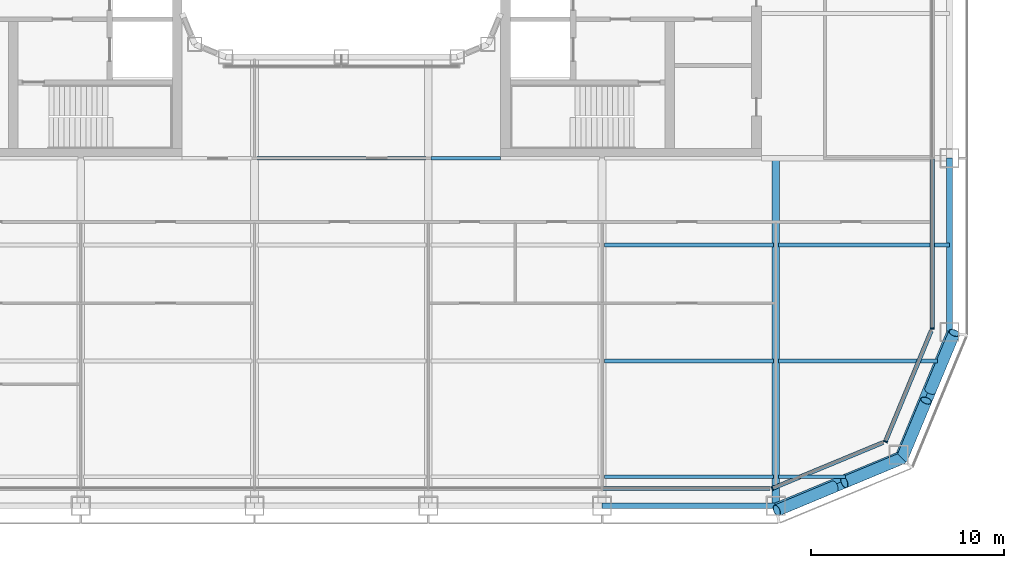
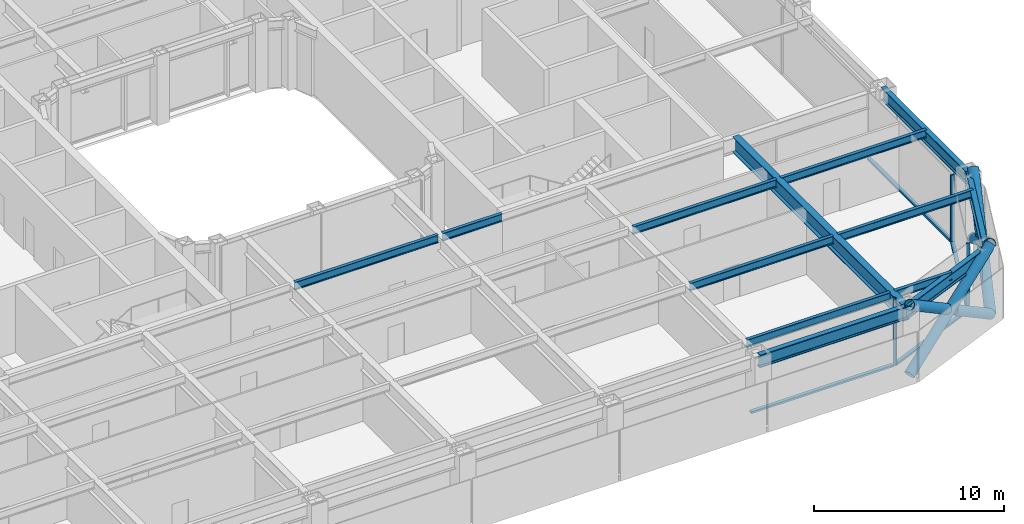
# One storey, part 4 of 30: 13 beams, 13 members, 4 elements without a shape of their own.
"""IFC4 building model written with IfcOpenShell, lengths in metres."""

from ifc_helpers import new_model, si_unit, direction, frame, origin, origin_2d, place, context, subcontext, project, spatial, rectangle, hollow_circle, i_section, extrude, material, layer, layer_set, material_profile, profile_set, type_object, element, aggregate, save


model = new_model("IFC4")

# Units and contexts
model_context = context("Model", 3, precision=1e-05, world=origin(), true_north=direction((0.0, 1.0)))
body_context = subcontext(model_context, "Body", "Model", "MODEL_VIEW")
ifc_project = project(units=[si_unit("LENGTHUNIT", "METRE"), si_unit("AREAUNIT", "SQUARE_METRE"), si_unit("VOLUMEUNIT", "CUBIC_METRE"), si_unit("PLANEANGLEUNIT", "RADIAN"), si_unit("MASSUNIT", "GRAM", prefix="KILO")], contexts=[model_context])

# Site, building, storey
site_placement = place(None, origin())
site = spatial("IfcSite", under=ifc_project, at=site_placement, CompositionType="ELEMENT")
building_placement = place(site_placement, origin())
building = spatial("IfcBuilding", under=site, at=building_placement, Name="Siwar Civic Tower", CompositionType="ELEMENT")
storey_placement = place(building_placement, frame((0.0, 0.0, 80.699951171875)))
storey = spatial("IfcBuildingStorey", under=building, at=storey_placement, Name="L17", CompositionType="ELEMENT", Elevation=80.699951171875)

# Curtain wall, member
ifc_material_1 = material(Name="Aluminium clad insulated panel", Category="aluminium")
ifc_layer_1 = layer(ifc_material_1, 0.219970703125)
ifc_layer_set_1 = layer_set([ifc_layer_1], Name="Aluminium clad insulated panel")
curtain_wall_type_1 = type_object("IfcCurtainWallType", Name="ENV-CW-AX", PredefinedType="NOTDEFINED", material=ifc_layer_set_1)
curtain_wall_1_placement = place(storey_placement, origin())
curtain_wall_1 = element("IfcCurtainWall", 1, at=curtain_wall_1_placement, inside=storey, type_object=curtain_wall_type_1, Name="Curtain wall A SE1", PredefinedType="NOTDEFINED")
ifc_material_2 = material(Name="Aluminium 6063-T6", Category="aluminium")
ifc_material_profile_1 = material_profile(ifc_material_2, rectangle(XDim=0.219970703125, YDim=0.070068359375, at=origin_2d()), Name="AL 220x70")
ifc_profile_set_1 = profile_set([ifc_material_profile_1], Name="Aluminium 6063-T6")
member_type_1 = type_object("IfcMemberType", Name="ENV-MULLION-A", PredefinedType="MULLION", material=ifc_profile_set_1)
member_1_placement = place(storey_placement, frame((22.321044921875, -30.60009765625, 0.0), z_axis=(0.0, 0.0, 1.0), x_axis=(-0.382683432365, 0.923879532511, 0.0)))
member_1 = element("IfcMember", 2, at=member_1_placement, type_object=member_type_1, Name="Mullion A SE1 1", PredefinedType="MULLION", context=body_context, shape_type="SweptSolid", body=[
    extrude(rectangle(XDim=0.219970703125, YDim=0.070068359375, at=origin_2d()), origin(), (0.0, 0.0, 1.0), 4.35009765625),
])

curtain_wall_2_placement = place(storey_placement, origin())
curtain_wall_2 = element("IfcCurtainWall", 3, at=curtain_wall_2_placement, inside=storey, type_object=curtain_wall_type_1, Name="Curtain wall A SE2", PredefinedType="NOTDEFINED")
member_2_placement = place(storey_placement, frame((28.175048828125, -28.175048828125, 0.0), z_axis=(0.0, 0.0, 1.0), x_axis=(-0.923879532511, 0.382683432365, 0.0)))
member_2 = element("IfcMember", 4, at=member_2_placement, type_object=member_type_1, Name="Mullion A SE2 1", PredefinedType="MULLION", context=body_context, shape_type="SweptSolid", body=[
    extrude(rectangle(XDim=0.219970703125, YDim=0.070068359375, at=origin_2d()), origin(), (0.0, 0.0, 1.0), 4.35009765625),
])

ifc_material_3 = material(Name="Aluminium and glass", Category="aluminium")
ifc_layer_2 = layer(ifc_material_3, 0.219970703125)
ifc_layer_set_2 = layer_set([ifc_layer_2], Name="Aluminium and glass")
curtain_wall_type_2 = type_object("IfcCurtainWallType", Name="ENV-CW-A", PredefinedType="NOTDEFINED", material=ifc_layer_set_2)
curtain_wall_3_placement = place(storey_placement, origin())
curtain_wall_3 = element("IfcCurtainWall", 5, at=curtain_wall_3_placement, inside=storey, type_object=curtain_wall_type_2, Name="Curtain wall A E", PredefinedType="NOTDEFINED")
member_3_placement = place(storey_placement, frame((30.60009765625, -22.321044921875, 0.0), z_axis=(0.0, 0.0, 1.0), x_axis=(-1.0, 0.0, 0.0)))
member_3 = element("IfcMember", 6, at=member_3_placement, type_object=member_type_1, Name="Mullion A E 1", PredefinedType="MULLION", context=body_context, shape_type="SweptSolid", body=[
    extrude(rectangle(XDim=0.219970703125, YDim=0.070068359375, at=origin_2d()), origin(), (0.0, 0.0, 1.0), 4.35009765625),
])

curtain_wall_4_placement = place(storey_placement, origin())
curtain_wall_4 = element("IfcCurtainWall", 7, at=curtain_wall_4_placement, inside=storey, type_object=curtain_wall_type_2, Name="Curtain wall A S", PredefinedType="NOTDEFINED")
ifc_material_4 = material(Name="Aluminium 6063-T6", Category="aluminium")
ifc_material_profile_2 = material_profile(ifc_material_4, rectangle(XDim=0.219970703125, YDim=0.1201171875, at=origin_2d()), Name="AL 220x120")
ifc_profile_set_2 = profile_set([ifc_material_profile_2], Name="Aluminium 6063-T6")
member_type_2 = type_object("IfcMemberType", Name="ENV-TRANSOM-A", PredefinedType="USERDEFINED", material=ifc_profile_set_2)
member_4_placement = place(storey_placement, frame((13.534912109375, -30.60009765625, 0.06005859375), z_axis=(1.0, 0.0, 0.0), x_axis=(0.0, 1.0, 0.0)))
member_4 = element("IfcMember", 8, at=member_4_placement, type_object=member_type_2, Name="Transom A S 5", ObjectType="TRANSOM", PredefinedType="USERDEFINED", context=body_context, shape_type="SweptSolid", body=[
    extrude(rectangle(XDim=0.219970703125, YDim=0.1201171875, at=origin_2d()), origin(), (0.0, 0.0, 1.0), 8.66357421875),
])
aggregate(curtain_wall_4, [member_4])

# Member
member_5_placement = place(storey_placement, frame((22.353271484375, -30.586669921875, 0.06005859375), z_axis=(0.923873326341, 0.382698415042, 0.0), x_axis=(-0.382698415042, 0.923873326341, 0.0)))
member_5 = element("IfcMember", 9, at=member_5_placement, type_object=member_type_2, Name="Transom A SE1 1", ObjectType="TRANSOM", PredefinedType="USERDEFINED", context=body_context, shape_type="SweptSolid", body=[
    extrude(rectangle(XDim=0.219970703125, YDim=0.1201171875, at=origin_2d()), origin(), (0.0, 0.0, 1.0), 6.17919921875),
])

aggregate(curtain_wall_1, [member_1, member_5])

member_6_placement = place(storey_placement, frame((28.1884765625, -28.142822265625, 0.06005859375), z_axis=(0.382698415042, 0.923873326341, 0.0), x_axis=(-0.923873326341, 0.382698415042, 0.0)))
member_6 = element("IfcMember", 10, at=member_6_placement, type_object=member_type_2, Name="Transom A SE2 1", ObjectType="TRANSOM", PredefinedType="USERDEFINED", context=body_context, shape_type="SweptSolid", body=[
    extrude(rectangle(XDim=0.219970703125, YDim=0.1201171875, at=origin_2d()), origin(), (0.0, 0.0, 1.0), 6.17919921875),
])

aggregate(curtain_wall_2, [member_2, member_6])

member_7_placement = place(storey_placement, frame((30.60009765625, -22.285888671875, 0.06005859375), z_axis=(0.0, 1.0, 0.0), x_axis=(-1.0, 0.0, 0.0)))
member_7 = element("IfcMember", 11, at=member_7_placement, type_object=member_type_2, Name="Transom A E 1", ObjectType="TRANSOM", PredefinedType="USERDEFINED", context=body_context, shape_type="SweptSolid", body=[
    extrude(rectangle(XDim=0.219970703125, YDim=0.1201171875, at=origin_2d()), origin(), (0.0, 0.0, 1.0), 8.7509765625),
])

aggregate(curtain_wall_3, [member_3, member_7])

# Members
ifc_material_5 = material(Name="Steel S355", Category="steel")
ifc_material_profile_3 = material_profile(ifc_material_5, hollow_circle(Radius=0.304931640625, WallThickness=0.030029296875, at=origin_2d()), Name="CHS610x30")
ifc_profile_set_3 = profile_set([ifc_material_profile_3], Name="Steel S355")
member_type_3 = type_object("IfcMemberType", Name="STR-BR-CHS610x30", PredefinedType="BRACE", material=ifc_profile_set_3)
member_8_placement = place(storey_placement, frame((31.7451171875, -22.548828125, 0.0), z_axis=(-0.323905527954, -0.777554562952, 0.538975055633), x_axis=(0.923108759191, -0.384538969033, 0.0)))
element("IfcMember", 12, at=member_8_placement, inside=storey, type_object=member_type_3, Name="L17/brc/ASE1-16-0-1", PredefinedType="BRACE", context=body_context, shape_type="SweptSolid", body=[
    extrude(hollow_circle(Radius=0.304931640625, WallThickness=0.030029296875, at=origin_2d()), origin(), (0.0, 0.0, 1.0), 8.34912109375),
])
member_9_placement = place(storey_placement, frame((29.040771484375, -29.040771484375, 0.0), z_axis=(0.323922979564, 0.777542179573, 0.53898243227), x_axis=(-0.923099230484, 0.384561842466, 0.0)))
element("IfcMember", 13, at=member_9_placement, inside=storey, type_object=member_type_3, Name="L17/brc/ASE1-16-0-2", PredefinedType="BRACE", context=body_context, shape_type="SweptSolid", body=[
    extrude(hollow_circle(Radius=0.304931640625, WallThickness=0.030029296875, at=origin_2d()), origin(), (0.0, 0.0, 1.0), 3.84375),
])
member_10_placement = place(storey_placement, frame((30.500244140625, -25.537353515625, 2.428466796875), z_axis=(0.3238932121, 0.777559680196, 0.53897507446), x_axis=(-0.923114847559, 0.384524353215, 0.0)))
element("IfcMember", 14, at=member_10_placement, inside=storey, type_object=member_type_3, Name="L17/brc/ASE1-16-0-3", PredefinedType="BRACE", context=body_context, shape_type="SweptSolid", body=[
    extrude(hollow_circle(Radius=0.304931640625, WallThickness=0.030029296875, at=origin_2d()), origin(), (0.0, 0.0, 1.0), 3.843505859375),
])
member_11_placement = place(storey_placement, frame((22.548828125, -31.7451171875, 0.0), z_axis=(0.777554562952, 0.323905527954, 0.538975055633), x_axis=(-0.384538969033, 0.923108759191, 0.0)))
element("IfcMember", 15, at=member_11_placement, inside=storey, type_object=member_type_3, Name="L17/brc/ASE1-16-0-0", PredefinedType="BRACE", context=body_context, shape_type="SweptSolid", body=[
    extrude(hollow_circle(Radius=0.304931640625, WallThickness=0.030029296875, at=origin_2d()), origin(), (0.0, 0.0, 1.0), 8.34912109375),
])
member_12_placement = place(storey_placement, frame((29.040771484375, -29.040771484375, 0.0), z_axis=(-0.777542179573, -0.323922979564, 0.53898243227), x_axis=(0.384561842466, -0.923099230484, 0.0)))
element("IfcMember", 16, at=member_12_placement, inside=storey, type_object=member_type_3, Name="L17/brc/ASE1-16-0-4", PredefinedType="BRACE", context=body_context, shape_type="SweptSolid", body=[
    extrude(hollow_circle(Radius=0.304931640625, WallThickness=0.030029296875, at=origin_2d()), origin(), (0.0, 0.0, 1.0), 3.84375),
])
member_13_placement = place(storey_placement, frame((25.537353515625, -30.500244140625, 2.428466796875), z_axis=(-0.777559680196, -0.3238932121, 0.53897507446), x_axis=(0.384524353215, -0.923114847559, 0.0)))
element("IfcMember", 17, at=member_13_placement, inside=storey, type_object=member_type_3, Name="L17/brc/ASE1-16-0-5", PredefinedType="BRACE", context=body_context, shape_type="SweptSolid", body=[
    extrude(hollow_circle(Radius=0.304931640625, WallThickness=0.030029296875, at=origin_2d()), origin(), (0.0, 0.0, 1.0), 3.843505859375),
])

# Beams
ifc_material_6 = material(Name="Steel S355", Category="steel")
ifc_material_profile_4 = material_profile(ifc_material_6, i_section(OverallWidth=0.199951171875, OverallDepth=0.5, WebThickness=0.01025390625, FlangeThickness=0.01611328125, FilletRadius=0.02099609375, at=origin_2d()), Name="IPE500")
ifc_profile_set_4 = profile_set([ifc_material_profile_4], Name="Steel S355")
beam_type_1 = type_object("IfcBeamType", Name="STR-FB-IPE500", PredefinedType="JOIST", material=ifc_profile_set_4)
beam_1_placement = place(storey_placement, frame((13.6298828125, -30.0, 4.10009765625), z_axis=(1.0, 0.0, 0.0), x_axis=(0.0, 1.0, 0.0)))
element("IfcBeam", 18, at=beam_1_placement, inside=storey, type_object=beam_type_1, Name="L17/bm/F006", PredefinedType="JOIST", context=body_context, shape_type="SweptSolid", body=[
    extrude(i_section(OverallWidth=0.199951171875, OverallDepth=0.5, WebThickness=0.01025390625, FlangeThickness=0.01611328125, FilletRadius=0.02099609375, at=origin_2d()), origin(), (0.0, 0.0, 1.0), 8.740234375),
])
beam_2_placement = place(storey_placement, frame((22.6298828125, -30.0, 4.10009765625), z_axis=(1.0, 0.0, 0.0), x_axis=(0.0, 1.0, 0.0)))
element("IfcBeam", 19, at=beam_2_placement, inside=storey, type_object=beam_type_1, Name="L17/bm/F007", PredefinedType="JOIST", context=body_context, shape_type="SweptSolid", body=[
    extrude(i_section(OverallWidth=0.199951171875, OverallDepth=0.5, WebThickness=0.01025390625, FlangeThickness=0.01611328125, FilletRadius=0.02099609375, at=origin_2d()), origin(), (0.0, 0.0, 1.0), 3.491455078125),
])
beam_3_placement = place(storey_placement, frame((13.6298828125, -24.0, 4.10009765625), z_axis=(1.0, 0.0, 0.0), x_axis=(0.0, 1.0, 0.0)))
element("IfcBeam", 20, at=beam_3_placement, inside=storey, type_object=beam_type_1, Name="L17/bm/F013", PredefinedType="JOIST", context=body_context, shape_type="SweptSolid", body=[
    extrude(i_section(OverallWidth=0.199951171875, OverallDepth=0.5, WebThickness=0.01025390625, FlangeThickness=0.01611328125, FilletRadius=0.02099609375, at=origin_2d()), origin(), (0.0, 0.0, 1.0), 8.740234375),
])
beam_4_placement = place(storey_placement, frame((22.6298828125, -24.0, 4.10009765625), z_axis=(1.0, 0.0, 0.0), x_axis=(0.0, 1.0, 0.0)))
element("IfcBeam", 21, at=beam_4_placement, inside=storey, type_object=beam_type_1, Name="L17/bm/F014", PredefinedType="JOIST", context=body_context, shape_type="SweptSolid", body=[
    extrude(i_section(OverallWidth=0.199951171875, OverallDepth=0.5, WebThickness=0.01025390625, FlangeThickness=0.01611328125, FilletRadius=0.02099609375, at=origin_2d()), origin(), (0.0, 0.0, 1.0), 8.248779296875),
])
beam_5_placement = place(storey_placement, frame((13.6298828125, -18.0, 4.10009765625), z_axis=(1.0, 0.0, 0.0), x_axis=(0.0, 1.0, 0.0)))
element("IfcBeam", 22, at=beam_5_placement, inside=storey, type_object=beam_type_1, Name="L17/bm/F020", PredefinedType="JOIST", context=body_context, shape_type="SweptSolid", body=[
    extrude(i_section(OverallWidth=0.199951171875, OverallDepth=0.5, WebThickness=0.01025390625, FlangeThickness=0.01611328125, FilletRadius=0.02099609375, at=origin_2d()), origin(), (0.0, 0.0, 1.0), 8.740234375),
])
beam_6_placement = place(storey_placement, frame((22.6298828125, -18.0, 4.10009765625), z_axis=(1.0, 0.0, 0.0), x_axis=(0.0, 1.0, 0.0)))
element("IfcBeam", 23, at=beam_6_placement, inside=storey, type_object=beam_type_1, Name="L17/bm/F021", PredefinedType="JOIST", context=body_context, shape_type="SweptSolid", body=[
    extrude(i_section(OverallWidth=0.199951171875, OverallDepth=0.5, WebThickness=0.01025390625, FlangeThickness=0.01611328125, FilletRadius=0.02099609375, at=origin_2d()), origin(), (0.0, 0.0, 1.0), 8.8701171875),
])
beam_7_placement = place(storey_placement, frame((-4.3701171875, -13.5, 4.10009765625), z_axis=(1.0, 0.0, 0.0), x_axis=(0.0, 1.0, 0.0)))
element("IfcBeam", 24, at=beam_7_placement, inside=storey, type_object=beam_type_1, Name="L17/bm/F026", PredefinedType="JOIST", context=body_context, shape_type="SweptSolid", body=[
    extrude(i_section(OverallWidth=0.199951171875, OverallDepth=0.5, WebThickness=0.01025390625, FlangeThickness=0.01611328125, FilletRadius=0.02099609375, at=origin_2d()), origin(), (0.0, 0.0, 1.0), 8.740234375),
])
beam_8_placement = place(storey_placement, frame((4.6298828125, -13.5, 4.10009765625), z_axis=(1.0, 0.0, 0.0), x_axis=(0.0, 1.0, 0.0)))
element("IfcBeam", 25, at=beam_8_placement, inside=storey, type_object=beam_type_1, Name="L17/bm/F027", PredefinedType="JOIST", context=body_context, shape_type="SweptSolid", body=[
    extrude(i_section(OverallWidth=0.199951171875, OverallDepth=0.5, WebThickness=0.01025390625, FlangeThickness=0.01611328125, FilletRadius=0.02099609375, at=origin_2d()), origin(), (0.0, 0.0, 1.0), 3.6201171875),
])
ifc_material_7 = material(Name="Steel S355", Category="steel")
ifc_material_profile_5 = material_profile(ifc_material_7, i_section(OverallWidth=0.39990234375, OverallDepth=1.0, WebThickness=0.01611328125, FlangeThickness=0.0400390625, at=origin_2d()), Name="PG1000x400x16x40")
ifc_profile_set_5 = profile_set([ifc_material_profile_5], Name="Steel S355")
beam_type_2 = type_object("IfcBeamType", Name="STR-PG-PG1000x400x16x40", PredefinedType="BEAM", material=ifc_profile_set_5)
beam_9_placement = place(storey_placement, frame((22.5, -31.5, 3.85009765625), z_axis=(0.0, 1.0, 0.0), x_axis=(-1.0, 0.0, 0.0)))
element("IfcBeam", 26, at=beam_9_placement, inside=storey, type_object=beam_type_2, Name="L17/bm/G11", PredefinedType="BEAM", context=body_context, shape_type="SweptSolid", body=[
    extrude(i_section(OverallWidth=0.39990234375, OverallDepth=1.0, WebThickness=0.01611328125, FlangeThickness=0.0400390625, at=origin_2d()), origin(), (0.0, 0.0, 1.0), 18.0),
])
ifc_material_8 = material(Name="Steel S355", Category="steel")
ifc_material_profile_6 = material_profile(ifc_material_8, i_section(OverallWidth=0.302978515625, OverallDepth=0.81396484375, WebThickness=0.02099609375, FlangeThickness=0.0400390625, FilletRadius=0.030029296875, at=origin_2d()), Name="HEM800")
ifc_profile_set_6 = profile_set([ifc_material_profile_6], Name="Steel S355")
beam_type_3 = type_object("IfcBeamType", Name="STR-SB-HEM800", PredefinedType="BEAM", material=ifc_profile_set_6)
beam_10_placement = place(storey_placement, frame((13.5, -31.5, 3.943115234375), z_axis=(1.0, 0.0, 0.0), x_axis=(0.0, 1.0, 0.0)))
element("IfcBeam", 27, at=beam_10_placement, inside=storey, type_object=beam_type_3, Name="L17/bm/SS-4", PredefinedType="BEAM", context=body_context, shape_type="SweptSolid", body=[
    extrude(i_section(OverallWidth=0.302978515625, OverallDepth=0.81396484375, WebThickness=0.02099609375, FlangeThickness=0.0400390625, FilletRadius=0.030029296875, at=origin_2d()), origin(), (0.0, 0.0, 1.0), 9.0),
])
for number, where, z_axis, x_axis, name in (
    (28, (22.5, -31.5, 3.943115234375), (0.923883353507, 0.382674207535, 0.0), (-0.382674207535, 0.923883353507, 0.0), "L17/bm/SSE1-0"),
    (29, (28.864013671875, -28.864013671875, 3.943115234375), (0.382674207535, 0.923883353507, 0.0), (-0.923883353507, 0.382674207535, 0.0), "L17/bm/SSE2-0"),
):
    element("IfcBeam", number, at=place(storey_placement, frame(where, z_axis=z_axis, x_axis=x_axis)), inside=storey, type_object=beam_type_3, Name=name, PredefinedType="BEAM", context=body_context, shape_type="SweptSolid", body=[
        extrude(i_section(OverallWidth=0.302978515625, OverallDepth=0.81396484375, WebThickness=0.02099609375, FlangeThickness=0.0400390625, FilletRadius=0.030029296875, at=origin_2d()), origin(), (0.0, 0.0, 1.0), 6.888427734375),
    ])
beam_11_placement = place(storey_placement, frame((31.5, -22.5, 3.943115234375), z_axis=(0.0, 1.0, 0.0), x_axis=(-1.0, 0.0, 0.0)))
element("IfcBeam", 30, at=beam_11_placement, inside=storey, type_object=beam_type_3, Name="L17/bm/SE-0", PredefinedType="BEAM", context=body_context, shape_type="SweptSolid", body=[
    extrude(i_section(OverallWidth=0.302978515625, OverallDepth=0.81396484375, WebThickness=0.02099609375, FlangeThickness=0.0400390625, FilletRadius=0.030029296875, at=origin_2d()), origin(), (0.0, 0.0, 1.0), 9.0),
])

save(model, "model.ifc")
